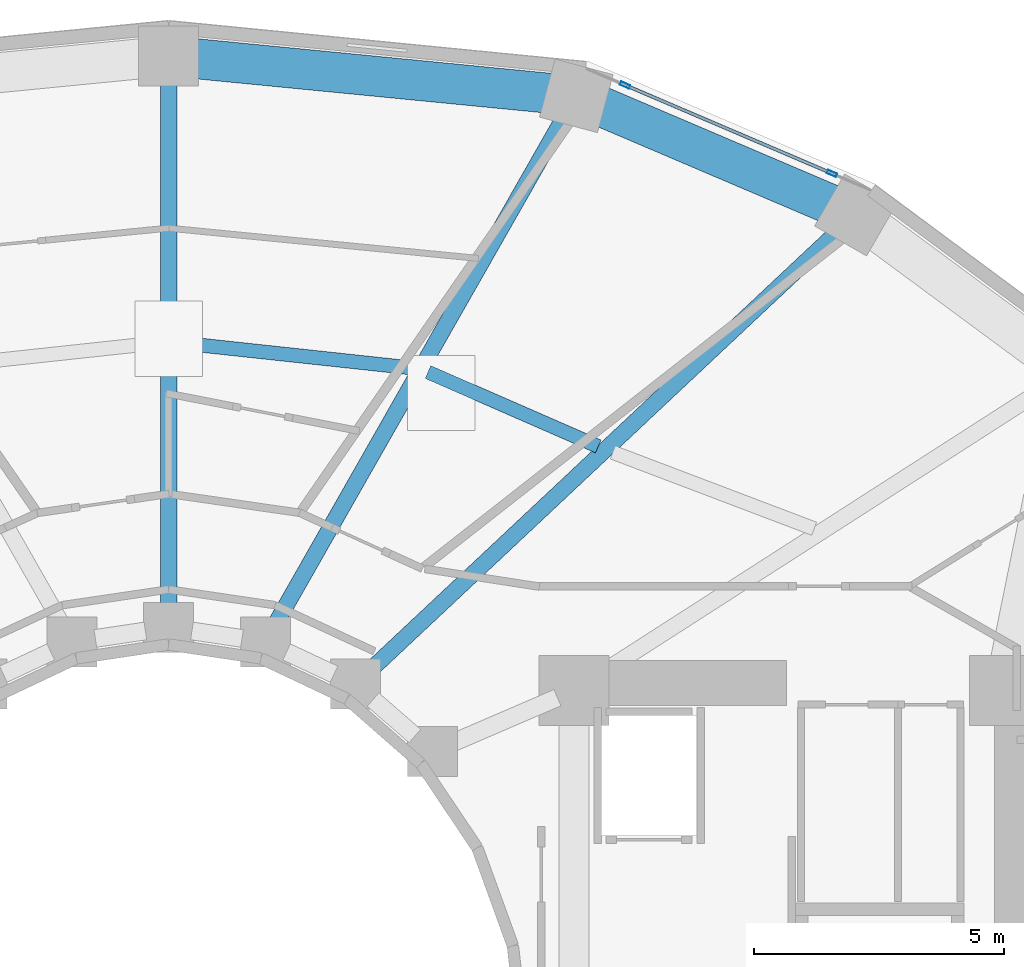
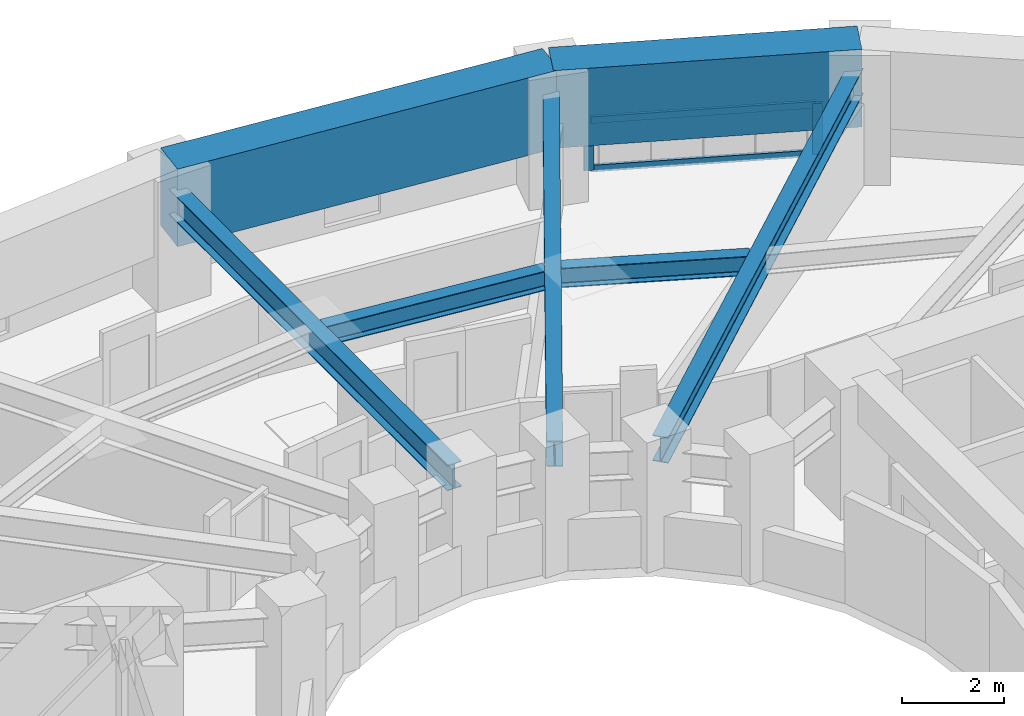
# One storey, part 7 of 16: 7 beams, 4 members, 1 element without a shape of its own.
"""IFC4 building model written with IfcOpenShell, lengths in metres."""

from ifc_helpers import new_model, si_unit, direction, frame, origin, origin_2d, place, context, subcontext, project, spatial, rectangle, hollow_rectangle, i_section, extrude, material, layer, layer_set, material_profile, profile_set, type_object, element, aggregate, save


model = new_model("IFC4")

# Units and contexts
model_context = context("Model", 3, precision=1e-05, world=origin(), true_north=direction((0.0, 1.0)))
body_context = subcontext(model_context, "Body", "Model", "MODEL_VIEW")
ifc_project = project(units=[si_unit("LENGTHUNIT", "METRE"), si_unit("AREAUNIT", "SQUARE_METRE"), si_unit("VOLUMEUNIT", "CUBIC_METRE"), si_unit("PLANEANGLEUNIT", "RADIAN"), si_unit("MASSUNIT", "GRAM", prefix="KILO")], contexts=[model_context])

# Site, building, storey
site_placement = place(None, origin())
site = spatial("IfcSite", under=ifc_project, at=site_placement, CompositionType="ELEMENT")
building_placement = place(site_placement, origin())
building = spatial("IfcBuilding", under=site, at=building_placement, Name="Solvane Sanctuary Tower", CompositionType="ELEMENT")
storey_placement = place(building_placement, frame((0.0, 0.0, 33.800048828125)))
storey = spatial("IfcBuildingStorey", under=building, at=storey_placement, Name="L09", CompositionType="ELEMENT", Elevation=33.800048828125)

# Beams
ifc_material_1 = material(Name="Steel ASTM A992 Grade 50", Category="steel")
ifc_material_profile_1 = material_profile(ifc_material_1, i_section(OverallWidth=0.323974609375, OverallDepth=0.611083984375, WebThickness=0.0126953125, FlangeThickness=0.01904296875, FilletRadius=0.01611328125, at=origin_2d()), Name="W24X104")
ifc_profile_set_1 = profile_set([ifc_material_profile_1], Name="Steel ASTM A992 Grade 50")
beam_type_1 = type_object("IfcBeamType", Name="Beam B-RAD-Z1 W24X104", PredefinedType="BEAM", material=ifc_profile_set_1)
beam_1_placement = place(storey_placement, frame((35.93408203125, 30.518310546875, 2.29248046875), z_axis=(0.729363446859, 0.68412642281, 0.0), x_axis=(-0.68412642281, 0.729363446859, 0.0)))
element("IfcBeam", 1, at=beam_1_placement, inside=storey, type_object=beam_type_1, Name="L09 Radial Composite Floor Beam 02", PredefinedType="BEAM", context=body_context, shape_type="SweptSolid", body=[
    extrude(i_section(OverallWidth=0.323974609375, OverallDepth=0.611083984375, WebThickness=0.0126953125, FlangeThickness=0.01904296875, FilletRadius=0.01611328125, at=origin_2d()), origin(), (0.0, 0.0, 1.0), 13.14697265625),
])
beam_2_placement = place(storey_placement, frame((34.0693359375, 31.4150390625, 2.29248046875), z_axis=(0.494862949167, 0.868971036078, 0.0), x_axis=(-0.868971036078, 0.494862949167, 0.0)))
element("IfcBeam", 2, at=beam_2_placement, inside=storey, type_object=beam_type_1, Name="L09 Radial Composite Floor Beam 03", PredefinedType="BEAM", context=body_context, shape_type="SweptSolid", body=[
    extrude(i_section(OverallWidth=0.323974609375, OverallDepth=0.611083984375, WebThickness=0.0126953125, FlangeThickness=0.01904296875, FilletRadius=0.01611328125, at=origin_2d()), origin(), (0.0, 0.0, 1.0), 11.997314453125),
])
beam_3_placement = place(storey_placement, frame((32.0, 31.739990234375, 2.29248046875), z_axis=(0.0, 1.0, 0.0), x_axis=(-1.0, 0.0, 0.0)))
element("IfcBeam", 3, at=beam_3_placement, inside=storey, type_object=beam_type_1, Name="L09 Radial Composite Floor Beam 04", PredefinedType="BEAM", context=body_context, shape_type="SweptSolid", body=[
    extrude(i_section(OverallWidth=0.323974609375, OverallDepth=0.611083984375, WebThickness=0.0126953125, FlangeThickness=0.01904296875, FilletRadius=0.01611328125, at=origin_2d()), origin(), (0.0, 0.0, 1.0), 10.860107421875),
])
ifc_material_profile_2 = material_profile(ifc_material_1, i_section(OverallWidth=0.280029296875, OverallDepth=0.462890625, WebThickness=0.0107421875, FlangeThickness=0.017333984375, FilletRadius=0.013916015625, at=origin_2d()), Name="W18X76")
ifc_profile_set_2 = profile_set([ifc_material_profile_2], Name="Steel ASTM A992 Grade 50")
beam_type_2 = type_object("IfcBeamType", Name="Beam B-SEC-JOIST W18X76", PredefinedType="JOIST", material=ifc_profile_set_2)
beam_4_placement = place(storey_placement, frame((32.156005859375, 37.1533203125, 2.366455078125), z_axis=(0.994253832067, -0.107048201386, 0.0), x_axis=(0.107048201386, 0.994253832067, 0.0)))
element("IfcBeam", 4, at=beam_4_placement, inside=storey, type_object=beam_type_2, Name="L09 Secondary Circumferential Joist 04-03", PredefinedType="JOIST", context=body_context, shape_type="SweptSolid", body=[
    extrude(i_section(OverallWidth=0.280029296875, OverallDepth=0.462890625, WebThickness=0.0107421875, FlangeThickness=0.017333984375, FilletRadius=0.013916015625, at=origin_2d()), origin(), (0.0, 0.0, 1.0), 4.7529296875),
])
beam_5_placement = place(storey_placement, frame((37.181640625, 36.564697265625, 2.366455078125), z_axis=(0.916382007922, -0.400304903238, 0.0), x_axis=(0.400304903238, 0.916382007922, 0.0)))
element("IfcBeam", 5, at=beam_5_placement, inside=storey, type_object=beam_type_2, Name="L09 Secondary Circumferential Joist 03-02", PredefinedType="JOIST", context=body_context, shape_type="SweptSolid", body=[
    extrude(i_section(OverallWidth=0.280029296875, OverallDepth=0.462890625, WebThickness=0.0107421875, FlangeThickness=0.017333984375, FilletRadius=0.013916015625, at=origin_2d()), origin(), (0.0, 0.0, 1.0), 3.713623046875),
])
ifc_material_2 = material(Name="Concrete C70/85", Category="concrete")
ifc_material_profile_3 = material_profile(ifc_material_2, rectangle(XDim=0.800048828125, YDim=1.85009765625, at=origin_2d()), Name="RC800X1850")
ifc_profile_set_3 = profile_set([ifc_material_profile_3], Name="Concrete C70/85")
beam_type_3 = type_object("IfcBeamType", Name="Beam B-XFER-BLK RC800X1850", PredefinedType="BEAM", material=ifc_profile_set_3)
beam_6_placement = place(storey_placement, frame((32.0, 42.8798828125, 2.175048828125), z_axis=(0.995256826983, -0.097282312595, 0.0), x_axis=(0.097282312595, 0.995256826983, 0.0)))
element("IfcBeam", 6, at=beam_6_placement, inside=storey, type_object=beam_type_3, Name="L09 Perimeter Step Transfer Ring NTC04-NTC03", PredefinedType="BEAM", context=body_context, shape_type="SweptSolid", body=[
    extrude(rectangle(XDim=0.800048828125, YDim=1.85009765625, at=origin_2d()), origin(), (0.0, 0.0, 1.0), 8.183837890625),
])
beam_7_placement = place(storey_placement, frame((40.14501953125, 42.083740234375, 2.175048828125), z_axis=(0.919904945582, -0.392141417213, 0.0), x_axis=(0.392141417213, 0.919904945582, 0.0)))
element("IfcBeam", 7, at=beam_7_placement, inside=storey, type_object=beam_type_3, Name="L09 Perimeter Step Transfer Ring NTC03-NTC02", PredefinedType="BEAM", context=body_context, shape_type="SweptSolid", body=[
    extrude(rectangle(XDim=0.800048828125, YDim=1.85009765625, at=origin_2d()), origin(), (0.0, 0.0, 1.0), 6.068359375),
])

# Curtain wall, members
ifc_material_3 = material(Name="Anodised Aluminium 6063-T6", Category="aluminium")
ifc_layer = layer(ifc_material_3, 0.169921875, Name="Anodised Aluminium 6063-T6")
ifc_layer_set = layer_set([ifc_layer], Name="Anodised Aluminium 6063-T6")
curtain_wall_type = type_object("IfcCurtainWallType", Name="Curtain Wall CW-FRIT-Z1", PredefinedType="NOTDEFINED", material=ifc_layer_set)
curtain_wall_placement = place(storey_placement, origin())
curtain_wall = element("IfcCurtainWall", 8, at=curtain_wall_placement, inside=storey, type_object=curtain_wall_type, Name="L09 CW-FRIT-Z1 Facade Run 04", PredefinedType="NOTDEFINED")
ifc_material_profile_4 = material_profile(ifc_material_3, hollow_rectangle(XDim=0.074951171875, YDim=0.199951171875, WallThickness=0.00390625, at=origin_2d()), Name="ALU200X75X4")
ifc_profile_set_4 = profile_set([ifc_material_profile_4], Name="Anodised Aluminium 6063-T6")
member_type_1 = type_object("IfcMemberType", Name="Member M-CW-MUL-1 ALU200X75X4", PredefinedType="MULLION", material=ifc_profile_set_4)
member_1_placement = place(storey_placement, frame((45.25341796875, 40.533935546875, 0.0), z_axis=(0.0, 0.0, 1.0), x_axis=(-0.392820282466, -0.919615259597, 0.0)))
member_1 = element("IfcMember", 9, at=member_1_placement, type_object=member_type_1, Name="CW-FRIT-Z1 mullion 1", PredefinedType="MULLION", context=body_context, shape_type="SweptSolid", body=[
    extrude(hollow_rectangle(XDim=0.074951171875, YDim=0.199951171875, WallThickness=0.00390625, at=origin_2d()), origin(), (0.0, 0.0, 1.0), 1.219970703125),
])
member_2_placement = place(storey_placement, frame((41.120361328125, 42.29931640625, 0.0), z_axis=(0.0, 0.0, 1.0), x_axis=(-0.392820282466, -0.919615259597, 0.0)))
member_2 = element("IfcMember", 10, at=member_2_placement, type_object=member_type_1, Name="CW-FRIT-Z1 mullion 2", PredefinedType="MULLION", context=body_context, shape_type="SweptSolid", body=[
    extrude(hollow_rectangle(XDim=0.074951171875, YDim=0.199951171875, WallThickness=0.00390625, at=origin_2d()), origin(), (0.0, 0.0, 1.0), 1.219970703125),
])
ifc_material_profile_5 = material_profile(ifc_material_3, hollow_rectangle(XDim=0.06494140625, YDim=0.159912109375, WallThickness=0.00341796875, at=origin_2d()), Name="ALU160X65X3.5")
ifc_profile_set_5 = profile_set([ifc_material_profile_5], Name="Anodised Aluminium 6063-T6")
member_type_2 = type_object("IfcMemberType", Name="Member M-CW-TRN-1 ALU160X65X3.5", PredefinedType="USERDEFINED", material=ifc_profile_set_5)
member_3_placement = place(storey_placement, frame((45.218994140625, 40.548583984375, 0.032470703125), z_axis=(-0.919612983912, 0.392825609935, 0.0), x_axis=(-0.392825609935, -0.919612983912, 0.0)))
member_3 = element("IfcMember", 11, at=member_3_placement, type_object=member_type_2, Name="CW-FRIT-Z1 transom 1.1", ObjectType="TRANSOM", PredefinedType="USERDEFINED", context=body_context, shape_type="SweptSolid", body=[
    extrude(hollow_rectangle(XDim=0.06494140625, YDim=0.159912109375, WallThickness=0.00341796875, at=origin_2d()), origin(), (0.0, 0.0, 1.0), 4.41943359375),
])
member_4_placement = place(storey_placement, frame((45.218994140625, 40.548583984375, 1.1875), z_axis=(-0.919612983912, 0.392825609935, 0.0), x_axis=(-0.392825609935, -0.919612983912, 0.0)))
member_4 = element("IfcMember", 12, at=member_4_placement, type_object=member_type_2, Name="CW-FRIT-Z1 transom 1.2", ObjectType="TRANSOM", PredefinedType="USERDEFINED", context=body_context, shape_type="SweptSolid", body=[
    extrude(hollow_rectangle(XDim=0.06494140625, YDim=0.159912109375, WallThickness=0.00341796875, at=origin_2d()), origin(), (0.0, 0.0, 1.0), 4.41943359375),
])
aggregate(curtain_wall, [member_1, member_2, member_3, member_4])

save(model, "model.ifc")
